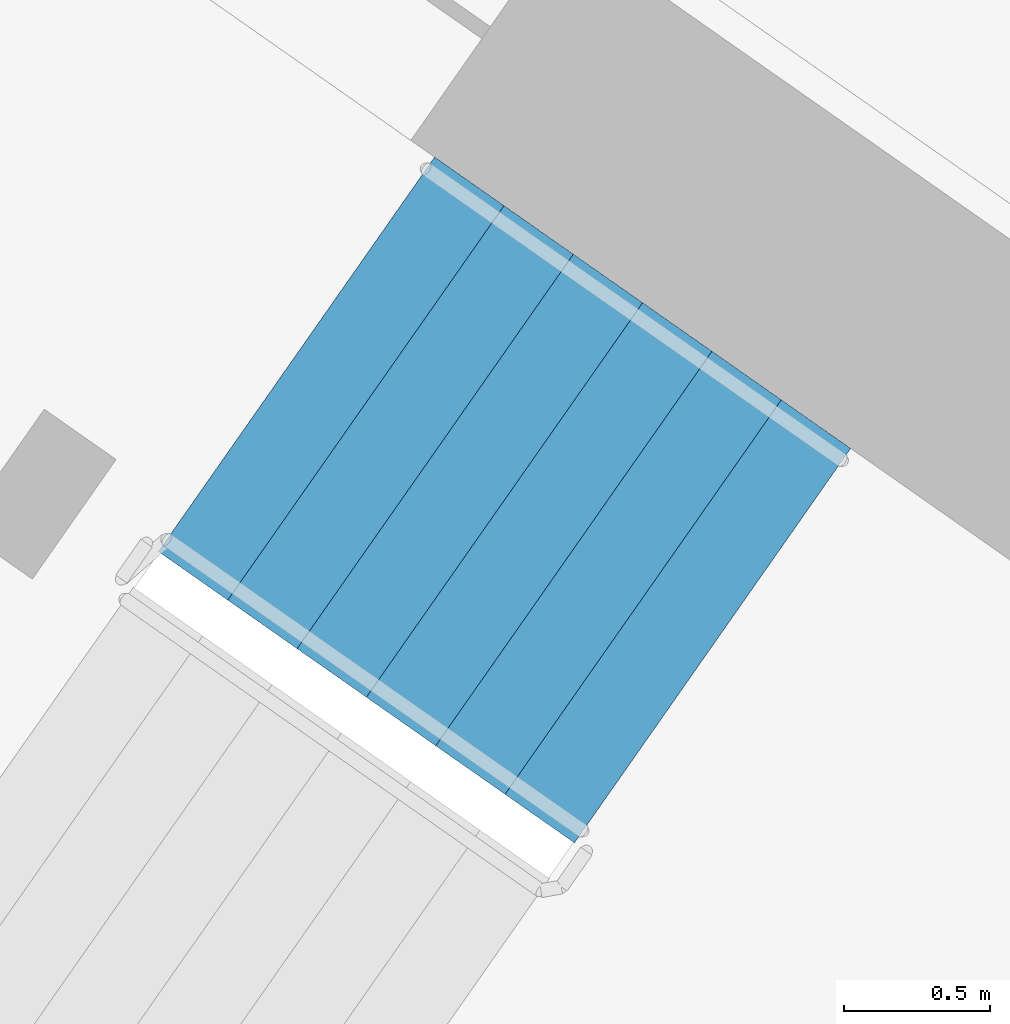
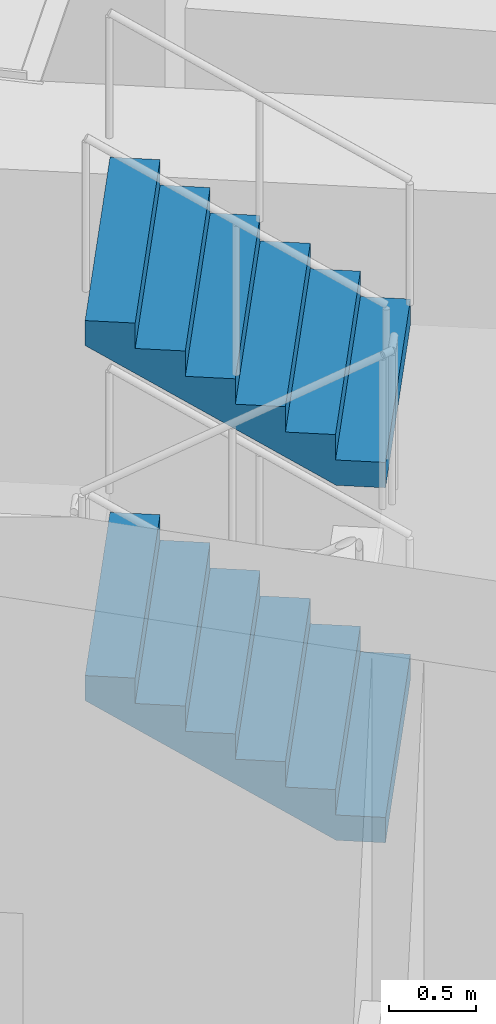
# One storey, part 16 of 25: 2 stair flights, 1 element without a shape of its own.
"""IFC4 building model written with IfcOpenShell, lengths in metres."""

from ifc_helpers import new_model, si_unit, direction, frame, origin, place, context, subcontext, project, spatial, faceted_brep, material, type_object, element, aggregate, save


model = new_model("IFC4")

# Units and contexts
model_context = context("Model", 3, precision=1e-05, world=origin(), true_north=direction((0.0, 1.0)))
body_context = subcontext(model_context, "Body", "Model", "MODEL_VIEW")
ifc_project = project(units=[si_unit("LENGTHUNIT", "METRE"), si_unit("AREAUNIT", "SQUARE_METRE"), si_unit("VOLUMEUNIT", "CUBIC_METRE"), si_unit("PLANEANGLEUNIT", "RADIAN"), si_unit("MASSUNIT", "GRAM", prefix="KILO")], contexts=[model_context])

# Site, building, storey
site_placement = place(None, origin())
site = spatial("IfcSite", under=ifc_project, at=site_placement, CompositionType="ELEMENT")
building_placement = place(site_placement, origin())
building = spatial("IfcBuilding", under=site, at=building_placement, Name="Qamariyya Broadcast Tower", CompositionType="ELEMENT")
storey_placement = place(building_placement, frame((0.0, 0.0, 89.89990234375)))
storey = spatial("IfcBuildingStorey", under=building, at=storey_placement, Name="L19", CompositionType="ELEMENT", Elevation=89.89990234375)

# Stair, stair flights
ifc_material = material(Name="Concrete C50/60", Category="concrete")
stair_type = type_object("IfcStairType", Name="Exit stair 28 risers of 179 mm", PredefinedType="HALF_TURN_STAIR", material=ifc_material)
stair_placement = place(storey_placement, origin())
stair = element("IfcStair", 1, at=stair_placement, inside=storey, type_object=stair_type, Name="L19 Stair W2", PredefinedType="HALF_TURN_STAIR")
stair_flight_type = type_object("IfcStairFlightType", Name="Exit stair flight 7 risers of 179 mm", PredefinedType="STRAIGHT", material=ifc_material)
stair_flight_1_placement = place(storey_placement, frame((-39.133544921875, -48.683349609375, 1.25), z_axis=(0.0, 0.0, 1.0), x_axis=(-0.819152044289, 0.573576436351, 0.0)))
stair_flight_1 = element("IfcStairFlight", 2, at=stair_flight_1_placement, type_object=stair_flight_type, Name="ST-W2 flight 2", NumberOfRisers=7, NumberOfTreads=6, PredefinedType="STRAIGHT", RiserHeight=0.178571429, TreadLength=0.29, context=body_context, shape_type="Brep", body=[
    faceted_brep([(0.0, 0.824951171875, 0.0), (0.0, 0.824951171875, 0.178466796875), (0.2900390625, 0.824951171875, 0.178466796875), (0.2900390625, 0.824951171875, 0.357177734375), (0.580078125, 0.824951171875, 0.357177734375), (0.580078125, 0.824951171875, 0.53564453125), (0.8701171875, 0.824951171875, 0.53564453125), (0.8701171875, 0.824951171875, 0.71435546875), (1.159912109375, 0.824951171875, 0.71435546875), (1.159912109375, 0.824951171875, 0.892822265625), (1.449951171875, 0.824951171875, 0.892822265625), (1.449951171875, 0.824951171875, 1.071533203125), (1.739990234375, 0.824951171875, 1.071533203125), (1.739990234375, 0.824951171875, 0.8955078125), (0.285888671875, 0.824951171875, 0.0), (0.285888671875, -0.824951171875, 0.0), (1.739990234375, -0.824951171875, 0.8955078125), (1.739990234375, -0.824951171875, 1.071533203125), (1.449951171875, -0.824951171875, 1.071533203125), (1.449951171875, -0.824951171875, 0.892822265625), (1.159912109375, -0.824951171875, 0.892822265625), (1.159912109375, -0.824951171875, 0.71435546875), (0.8701171875, -0.824951171875, 0.71435546875), (0.8701171875, -0.824951171875, 0.53564453125), (0.580078125, -0.824951171875, 0.53564453125), (0.580078125, -0.824951171875, 0.357177734375), (0.2900390625, -0.824951171875, 0.357177734375), (0.2900390625, -0.824951171875, 0.178466796875), (0.0, -0.824951171875, 0.178466796875), (0.0, -0.824951171875, 0.0), (0.0, 0.10009765625, 0.0), (0.0, 0.086669921875, 0.0), (0.0, 0.0732421875, 0.0), (0.0, 0.06005859375, 0.0), (0.0, 0.046630859375, 0.0), (0.0, 0.033447265625, 0.0), (0.0, 0.02001953125, 0.0), (0.0, 0.006591796875, 0.0), (0.0, -0.006591796875, 0.0), (0.0, -0.02001953125, 0.0), (0.0, -0.033447265625, 0.0), (0.0, -0.046630859375, 0.0), (0.0, -0.06005859375, 0.0), (0.0, -0.0732421875, 0.0), (0.0, -0.086669921875, 0.0), (0.0, -0.10009765625, 0.0), (0.0, -0.10009765625, 0.178466796875), (0.0, -0.086669921875, 0.178466796875), (0.0, -0.0732421875, 0.178466796875), (0.0, -0.06005859375, 0.178466796875), (0.0, -0.046630859375, 0.178466796875), (0.0, -0.033447265625, 0.178466796875), (0.0, -0.02001953125, 0.178466796875), (0.0, -0.006591796875, 0.178466796875), (0.0, 0.006591796875, 0.178466796875), (0.0, 0.02001953125, 0.178466796875), (0.0, 0.033447265625, 0.178466796875), (0.0, 0.046630859375, 0.178466796875), (0.0, 0.06005859375, 0.178466796875), (0.0, 0.0732421875, 0.178466796875), (0.0, 0.086669921875, 0.178466796875), (0.0, 0.10009765625, 0.178466796875), (0.2900390625, -0.10009765625, 0.178466796875), (0.2900390625, -0.086669921875, 0.178466796875), (0.2900390625, -0.0732421875, 0.178466796875), (0.2900390625, -0.06005859375, 0.178466796875), (0.2900390625, -0.046630859375, 0.178466796875), (0.2900390625, -0.033447265625, 0.178466796875), (0.2900390625, -0.02001953125, 0.178466796875), (0.2900390625, -0.006591796875, 0.178466796875), (0.2900390625, 0.006591796875, 0.178466796875), (0.2900390625, 0.02001953125, 0.178466796875), (0.2900390625, 0.033447265625, 0.178466796875), (0.2900390625, 0.046630859375, 0.178466796875), (0.2900390625, 0.06005859375, 0.178466796875), (0.2900390625, 0.0732421875, 0.178466796875), (0.2900390625, 0.086669921875, 0.178466796875), (0.2900390625, 0.10009765625, 0.178466796875), (0.2900390625, -0.10009765625, 0.357177734375), (0.2900390625, -0.086669921875, 0.357177734375), (0.2900390625, -0.0732421875, 0.357177734375), (0.2900390625, -0.06005859375, 0.357177734375), (0.2900390625, -0.046630859375, 0.357177734375), (0.2900390625, -0.033447265625, 0.357177734375), (0.2900390625, -0.02001953125, 0.357177734375), (0.2900390625, -0.006591796875, 0.357177734375), (0.2900390625, 0.006591796875, 0.357177734375), (0.2900390625, 0.02001953125, 0.357177734375), (0.2900390625, 0.033447265625, 0.357177734375), (0.2900390625, 0.046630859375, 0.357177734375), (0.2900390625, 0.06005859375, 0.357177734375), (0.2900390625, 0.0732421875, 0.357177734375), (0.2900390625, 0.086669921875, 0.357177734375), (0.2900390625, 0.10009765625, 0.357177734375), (0.580078125, -0.10009765625, 0.357177734375), (0.580078125, -0.086669921875, 0.357177734375), (0.580078125, -0.0732421875, 0.357177734375), (0.580078125, -0.06005859375, 0.357177734375), (0.580078125, -0.046630859375, 0.357177734375), (0.580078125, -0.033447265625, 0.357177734375), (0.580078125, -0.02001953125, 0.357177734375), (0.580078125, -0.006591796875, 0.357177734375), (0.580078125, 0.006591796875, 0.357177734375), (0.580078125, 0.02001953125, 0.357177734375), (0.580078125, 0.033447265625, 0.357177734375), (0.580078125, 0.046630859375, 0.357177734375), (0.580078125, 0.06005859375, 0.357177734375), (0.580078125, 0.0732421875, 0.357177734375), (0.580078125, 0.086669921875, 0.357177734375), (0.580078125, 0.10009765625, 0.357177734375), (0.580078125, -0.10009765625, 0.53564453125), (0.580078125, -0.086669921875, 0.53564453125), (0.580078125, -0.0732421875, 0.53564453125), (0.580078125, -0.06005859375, 0.53564453125), (0.580078125, -0.046630859375, 0.53564453125), (0.580078125, -0.033447265625, 0.53564453125), (0.580078125, -0.02001953125, 0.53564453125), (0.580078125, -0.006591796875, 0.53564453125), (0.580078125, 0.006591796875, 0.53564453125), (0.580078125, 0.02001953125, 0.53564453125), (0.580078125, 0.033447265625, 0.53564453125), (0.580078125, 0.046630859375, 0.53564453125), (0.580078125, 0.06005859375, 0.53564453125), (0.580078125, 0.0732421875, 0.53564453125), (0.580078125, 0.086669921875, 0.53564453125), (0.580078125, 0.10009765625, 0.53564453125), (0.8701171875, -0.10009765625, 0.53564453125), (0.8701171875, -0.086669921875, 0.53564453125), (0.8701171875, -0.0732421875, 0.53564453125), (0.8701171875, -0.06005859375, 0.53564453125), (0.8701171875, -0.046630859375, 0.53564453125), (0.8701171875, -0.033447265625, 0.53564453125), (0.8701171875, -0.02001953125, 0.53564453125), (0.8701171875, -0.006591796875, 0.53564453125), (0.8701171875, 0.006591796875, 0.53564453125), (0.8701171875, 0.02001953125, 0.53564453125), (0.8701171875, 0.033447265625, 0.53564453125), (0.8701171875, 0.046630859375, 0.53564453125), (0.8701171875, 0.06005859375, 0.53564453125), (0.8701171875, 0.0732421875, 0.53564453125), (0.8701171875, 0.086669921875, 0.53564453125), (0.8701171875, 0.10009765625, 0.53564453125), (0.8701171875, -0.10009765625, 0.71435546875), (0.8701171875, -0.086669921875, 0.71435546875), (0.8701171875, -0.0732421875, 0.71435546875), (0.8701171875, -0.06005859375, 0.71435546875), (0.8701171875, -0.046630859375, 0.71435546875), (0.8701171875, -0.033447265625, 0.71435546875), (0.8701171875, -0.02001953125, 0.71435546875), (0.8701171875, -0.006591796875, 0.71435546875), (0.8701171875, 0.006591796875, 0.71435546875), (0.8701171875, 0.02001953125, 0.71435546875), (0.8701171875, 0.033447265625, 0.71435546875), (0.8701171875, 0.046630859375, 0.71435546875), (0.8701171875, 0.06005859375, 0.71435546875), (0.8701171875, 0.0732421875, 0.71435546875), (0.8701171875, 0.086669921875, 0.71435546875), (0.8701171875, 0.10009765625, 0.71435546875), (1.159912109375, -0.10009765625, 0.71435546875), (1.159912109375, -0.086669921875, 0.71435546875), (1.159912109375, -0.0732421875, 0.71435546875), (1.159912109375, -0.06005859375, 0.71435546875), (1.159912109375, -0.046630859375, 0.71435546875), (1.159912109375, -0.033447265625, 0.71435546875), (1.159912109375, -0.02001953125, 0.71435546875), (1.159912109375, -0.006591796875, 0.71435546875), (1.159912109375, 0.006591796875, 0.71435546875), (1.159912109375, 0.02001953125, 0.71435546875), (1.159912109375, 0.033447265625, 0.71435546875), (1.159912109375, 0.046630859375, 0.71435546875), (1.159912109375, 0.06005859375, 0.71435546875), (1.159912109375, 0.0732421875, 0.71435546875), (1.159912109375, 0.086669921875, 0.71435546875), (1.159912109375, 0.10009765625, 0.71435546875), (1.159912109375, -0.10009765625, 0.892822265625), (1.159912109375, -0.086669921875, 0.892822265625), (1.159912109375, -0.0732421875, 0.892822265625), (1.159912109375, -0.06005859375, 0.892822265625), (1.159912109375, -0.046630859375, 0.892822265625), (1.159912109375, -0.033447265625, 0.892822265625), (1.159912109375, -0.02001953125, 0.892822265625), (1.159912109375, -0.006591796875, 0.892822265625), (1.159912109375, 0.006591796875, 0.892822265625), (1.159912109375, 0.02001953125, 0.892822265625), (1.159912109375, 0.033447265625, 0.892822265625), (1.159912109375, 0.046630859375, 0.892822265625), (1.159912109375, 0.06005859375, 0.892822265625), (1.159912109375, 0.0732421875, 0.892822265625), (1.159912109375, 0.086669921875, 0.892822265625), (1.159912109375, 0.10009765625, 0.892822265625), (1.449951171875, -0.10009765625, 0.892822265625), (1.449951171875, -0.086669921875, 0.892822265625), (1.449951171875, -0.0732421875, 0.892822265625), (1.449951171875, -0.06005859375, 0.892822265625), (1.449951171875, -0.046630859375, 0.892822265625), (1.449951171875, -0.033447265625, 0.892822265625), (1.449951171875, -0.02001953125, 0.892822265625), (1.449951171875, -0.006591796875, 0.892822265625), (1.449951171875, 0.006591796875, 0.892822265625), (1.449951171875, 0.02001953125, 0.892822265625), (1.449951171875, 0.033447265625, 0.892822265625), (1.449951171875, 0.046630859375, 0.892822265625), (1.449951171875, 0.06005859375, 0.892822265625), (1.449951171875, 0.0732421875, 0.892822265625), (1.449951171875, 0.086669921875, 0.892822265625), (1.449951171875, 0.10009765625, 0.892822265625), (1.449951171875, -0.10009765625, 1.071533203125), (1.449951171875, -0.086669921875, 1.071533203125), (1.449951171875, -0.0732421875, 1.071533203125), (1.449951171875, -0.06005859375, 1.071533203125), (1.449951171875, -0.046630859375, 1.071533203125), (1.449951171875, -0.033447265625, 1.071533203125), (1.449951171875, -0.02001953125, 1.071533203125), (1.449951171875, -0.006591796875, 1.071533203125), (1.449951171875, 0.006591796875, 1.071533203125), (1.449951171875, 0.02001953125, 1.071533203125), (1.449951171875, 0.033447265625, 1.071533203125), (1.449951171875, 0.046630859375, 1.071533203125), (1.449951171875, 0.06005859375, 1.071533203125), (1.449951171875, 0.0732421875, 1.071533203125), (1.449951171875, 0.086669921875, 1.071533203125), (1.449951171875, 0.10009765625, 1.071533203125), (1.739990234375, -0.10009765625, 1.071533203125), (1.739990234375, -0.086669921875, 1.071533203125), (1.739990234375, -0.0732421875, 1.071533203125), (1.739990234375, -0.06005859375, 1.071533203125), (1.739990234375, -0.046630859375, 1.071533203125), (1.739990234375, -0.033447265625, 1.071533203125), (1.739990234375, -0.02001953125, 1.071533203125), (1.739990234375, -0.006591796875, 1.071533203125), (1.739990234375, 0.006591796875, 1.071533203125), (1.739990234375, 0.02001953125, 1.071533203125), (1.739990234375, 0.033447265625, 1.071533203125), (1.739990234375, 0.046630859375, 1.071533203125), (1.739990234375, 0.06005859375, 1.071533203125), (1.739990234375, 0.0732421875, 1.071533203125), (1.739990234375, 0.086669921875, 1.071533203125), (1.739990234375, 0.10009765625, 1.071533203125), (1.739990234375, -0.10009765625, 0.8955078125), (1.739990234375, -0.086669921875, 0.8955078125), (1.739990234375, -0.0732421875, 0.8955078125), (1.739990234375, -0.06005859375, 0.8955078125), (1.739990234375, -0.046630859375, 0.8955078125), (1.739990234375, -0.033447265625, 0.8955078125), (1.739990234375, -0.02001953125, 0.8955078125), (1.739990234375, -0.006591796875, 0.8955078125), (1.739990234375, 0.006591796875, 0.8955078125), (1.739990234375, 0.02001953125, 0.8955078125), (1.739990234375, 0.033447265625, 0.8955078125), (1.739990234375, 0.046630859375, 0.8955078125), (1.739990234375, 0.06005859375, 0.8955078125), (1.739990234375, 0.0732421875, 0.8955078125), (1.739990234375, 0.086669921875, 0.8955078125), (1.739990234375, 0.10009765625, 0.8955078125), (0.285888671875, -0.10009765625, 0.0), (0.285888671875, -0.086669921875, 0.0), (0.285888671875, -0.0732421875, 0.0), (0.285888671875, -0.06005859375, 0.0), (0.285888671875, -0.046630859375, 0.0), (0.285888671875, -0.033447265625, 0.0), (0.285888671875, -0.02001953125, 0.0), (0.285888671875, -0.006591796875, 0.0), (0.285888671875, 0.006591796875, 0.0), (0.285888671875, 0.02001953125, 0.0), (0.285888671875, 0.033447265625, 0.0), (0.285888671875, 0.046630859375, 0.0), (0.285888671875, 0.06005859375, 0.0), (0.285888671875, 0.0732421875, 0.0), (0.285888671875, 0.086669921875, 0.0), (0.285888671875, 0.10009765625, 0.0)], [[[0, 1, 2, 3, 4, 5, 6, 7, 8, 9, 10, 11, 12, 13, 14]], [[15, 16, 17, 18, 19, 20, 21, 22, 23, 24, 25, 26, 27, 28, 29]], [[0, 30, 31, 32, 33, 34, 35, 36, 37, 38, 39, 40, 41, 42, 43, 44, 45, 29, 28, 46, 47, 48, 49, 50, 51, 52, 53, 54, 55, 56, 57, 58, 59, 60, 61, 1]], [[1, 61, 60, 59, 58, 57, 56, 55, 54, 53, 52, 51, 50, 49, 48, 47, 46, 28, 27, 62, 63, 64, 65, 66, 67, 68, 69, 70, 71, 72, 73, 74, 75, 76, 77, 2]], [[2, 77, 76, 75, 74, 73, 72, 71, 70, 69, 68, 67, 66, 65, 64, 63, 62, 27, 26, 78, 79, 80, 81, 82, 83, 84, 85, 86, 87, 88, 89, 90, 91, 92, 93, 3]], [[3, 93, 92, 91, 90, 89, 88, 87, 86, 85, 84, 83, 82, 81, 80, 79, 78, 26, 25, 94, 95, 96, 97, 98, 99, 100, 101, 102, 103, 104, 105, 106, 107, 108, 109, 4]], [[4, 109, 108, 107, 106, 105, 104, 103, 102, 101, 100, 99, 98, 97, 96, 95, 94, 25, 24, 110, 111, 112, 113, 114, 115, 116, 117, 118, 119, 120, 121, 122, 123, 124, 125, 5]], [[5, 125, 124, 123, 122, 121, 120, 119, 118, 117, 116, 115, 114, 113, 112, 111, 110, 24, 23, 126, 127, 128, 129, 130, 131, 132, 133, 134, 135, 136, 137, 138, 139, 140, 141, 6]], [[6, 141, 140, 139, 138, 137, 136, 135, 134, 133, 132, 131, 130, 129, 128, 127, 126, 23, 22, 142, 143, 144, 145, 146, 147, 148, 149, 150, 151, 152, 153, 154, 155, 156, 157, 7]], [[7, 157, 156, 155, 154, 153, 152, 151, 150, 149, 148, 147, 146, 145, 144, 143, 142, 22, 21, 158, 159, 160, 161, 162, 163, 164, 165, 166, 167, 168, 169, 170, 171, 172, 173, 8]], [[8, 173, 172, 171, 170, 169, 168, 167, 166, 165, 164, 163, 162, 161, 160, 159, 158, 21, 20, 174, 175, 176, 177, 178, 179, 180, 181, 182, 183, 184, 185, 186, 187, 188, 189, 9]], [[9, 189, 188, 187, 186, 185, 184, 183, 182, 181, 180, 179, 178, 177, 176, 175, 174, 20, 19, 190, 191, 192, 193, 194, 195, 196, 197, 198, 199, 200, 201, 202, 203, 204, 205, 10]], [[10, 205, 204, 203, 202, 201, 200, 199, 198, 197, 196, 195, 194, 193, 192, 191, 190, 19, 18, 206, 207, 208, 209, 210, 211, 212, 213, 214, 215, 216, 217, 218, 219, 220, 221, 11]], [[11, 221, 220, 219, 218, 217, 216, 215, 214, 213, 212, 211, 210, 209, 208, 207, 206, 18, 17, 222, 223, 224, 225, 226, 227, 228, 229, 230, 231, 232, 233, 234, 235, 236, 237, 12]], [[12, 237, 236, 235, 234, 233, 232, 231, 230, 229, 228, 227, 226, 225, 224, 223, 222, 17, 16, 238, 239, 240, 241, 242, 243, 244, 245, 246, 247, 248, 249, 250, 251, 252, 253, 13]], [[13, 253, 252, 251, 250, 249, 248, 247, 246, 245, 244, 243, 242, 241, 240, 239, 238, 16, 15, 254, 255, 256, 257, 258, 259, 260, 261, 262, 263, 264, 265, 266, 267, 268, 269, 14]], [[14, 269, 268, 267, 266, 265, 264, 263, 262, 261, 260, 259, 258, 257, 256, 255, 254, 15, 29, 45, 44, 43, 42, 41, 40, 39, 38, 37, 36, 35, 34, 33, 32, 31, 30, 0]]]),
])
stair_flight_2_placement = place(storey_placement, frame((-39.133544921875, -48.683349609375, 3.75), z_axis=(0.0, 0.0, 1.0), x_axis=(-0.819152044289, 0.573576436351, 0.0)))
stair_flight_2 = element("IfcStairFlight", 3, at=stair_flight_2_placement, type_object=stair_flight_type, Name="ST-W2 flight 4", NumberOfRisers=7, NumberOfTreads=6, PredefinedType="STRAIGHT", RiserHeight=0.178571429, TreadLength=0.29, context=body_context, shape_type="Brep", body=[
    faceted_brep([(0.0, 0.824951171875, 0.0), (0.0, 0.824951171875, 0.178466796875), (0.2900390625, 0.824951171875, 0.178466796875), (0.2900390625, 0.824951171875, 0.357177734375), (0.580078125, 0.824951171875, 0.357177734375), (0.580078125, 0.824951171875, 0.53564453125), (0.8701171875, 0.824951171875, 0.53564453125), (0.8701171875, 0.824951171875, 0.71435546875), (1.159912109375, 0.824951171875, 0.71435546875), (1.159912109375, 0.824951171875, 0.892822265625), (1.449951171875, 0.824951171875, 0.892822265625), (1.449951171875, 0.824951171875, 1.071533203125), (1.739990234375, 0.824951171875, 1.071533203125), (1.739990234375, 0.824951171875, 0.8955078125), (0.285888671875, 0.824951171875, 0.0), (0.285888671875, -0.824951171875, 0.0), (1.739990234375, -0.824951171875, 0.8955078125), (1.739990234375, -0.824951171875, 1.071533203125), (1.449951171875, -0.824951171875, 1.071533203125), (1.449951171875, -0.824951171875, 0.892822265625), (1.159912109375, -0.824951171875, 0.892822265625), (1.159912109375, -0.824951171875, 0.71435546875), (0.8701171875, -0.824951171875, 0.71435546875), (0.8701171875, -0.824951171875, 0.53564453125), (0.580078125, -0.824951171875, 0.53564453125), (0.580078125, -0.824951171875, 0.357177734375), (0.2900390625, -0.824951171875, 0.357177734375), (0.2900390625, -0.824951171875, 0.178466796875), (0.0, -0.824951171875, 0.178466796875), (0.0, -0.824951171875, 0.0), (0.0, 0.10009765625, 0.0), (0.0, 0.086669921875, 0.0), (0.0, 0.0732421875, 0.0), (0.0, 0.06005859375, 0.0), (0.0, 0.046630859375, 0.0), (0.0, 0.033447265625, 0.0), (0.0, 0.02001953125, 0.0), (0.0, 0.006591796875, 0.0), (0.0, -0.006591796875, 0.0), (0.0, -0.02001953125, 0.0), (0.0, -0.033447265625, 0.0), (0.0, -0.046630859375, 0.0), (0.0, -0.06005859375, 0.0), (0.0, -0.0732421875, 0.0), (0.0, -0.086669921875, 0.0), (0.0, -0.10009765625, 0.0), (0.0, -0.10009765625, 0.178466796875), (0.0, -0.086669921875, 0.178466796875), (0.0, -0.0732421875, 0.178466796875), (0.0, -0.06005859375, 0.178466796875), (0.0, -0.046630859375, 0.178466796875), (0.0, -0.033447265625, 0.178466796875), (0.0, -0.02001953125, 0.178466796875), (0.0, -0.006591796875, 0.178466796875), (0.0, 0.006591796875, 0.178466796875), (0.0, 0.02001953125, 0.178466796875), (0.0, 0.033447265625, 0.178466796875), (0.0, 0.046630859375, 0.178466796875), (0.0, 0.06005859375, 0.178466796875), (0.0, 0.0732421875, 0.178466796875), (0.0, 0.086669921875, 0.178466796875), (0.0, 0.10009765625, 0.178466796875), (0.2900390625, -0.10009765625, 0.178466796875), (0.2900390625, -0.086669921875, 0.178466796875), (0.2900390625, -0.0732421875, 0.178466796875), (0.2900390625, -0.06005859375, 0.178466796875), (0.2900390625, -0.046630859375, 0.178466796875), (0.2900390625, -0.033447265625, 0.178466796875), (0.2900390625, -0.02001953125, 0.178466796875), (0.2900390625, -0.006591796875, 0.178466796875), (0.2900390625, 0.006591796875, 0.178466796875), (0.2900390625, 0.02001953125, 0.178466796875), (0.2900390625, 0.033447265625, 0.178466796875), (0.2900390625, 0.046630859375, 0.178466796875), (0.2900390625, 0.06005859375, 0.178466796875), (0.2900390625, 0.0732421875, 0.178466796875), (0.2900390625, 0.086669921875, 0.178466796875), (0.2900390625, 0.10009765625, 0.178466796875), (0.2900390625, -0.10009765625, 0.357177734375), (0.2900390625, -0.086669921875, 0.357177734375), (0.2900390625, -0.0732421875, 0.357177734375), (0.2900390625, -0.06005859375, 0.357177734375), (0.2900390625, -0.046630859375, 0.357177734375), (0.2900390625, -0.033447265625, 0.357177734375), (0.2900390625, -0.02001953125, 0.357177734375), (0.2900390625, -0.006591796875, 0.357177734375), (0.2900390625, 0.006591796875, 0.357177734375), (0.2900390625, 0.02001953125, 0.357177734375), (0.2900390625, 0.033447265625, 0.357177734375), (0.2900390625, 0.046630859375, 0.357177734375), (0.2900390625, 0.06005859375, 0.357177734375), (0.2900390625, 0.0732421875, 0.357177734375), (0.2900390625, 0.086669921875, 0.357177734375), (0.2900390625, 0.10009765625, 0.357177734375), (0.580078125, -0.10009765625, 0.357177734375), (0.580078125, -0.086669921875, 0.357177734375), (0.580078125, -0.0732421875, 0.357177734375), (0.580078125, -0.06005859375, 0.357177734375), (0.580078125, -0.046630859375, 0.357177734375), (0.580078125, -0.033447265625, 0.357177734375), (0.580078125, -0.02001953125, 0.357177734375), (0.580078125, -0.006591796875, 0.357177734375), (0.580078125, 0.006591796875, 0.357177734375), (0.580078125, 0.02001953125, 0.357177734375), (0.580078125, 0.033447265625, 0.357177734375), (0.580078125, 0.046630859375, 0.357177734375), (0.580078125, 0.06005859375, 0.357177734375), (0.580078125, 0.0732421875, 0.357177734375), (0.580078125, 0.086669921875, 0.357177734375), (0.580078125, 0.10009765625, 0.357177734375), (0.580078125, -0.10009765625, 0.53564453125), (0.580078125, -0.086669921875, 0.53564453125), (0.580078125, -0.0732421875, 0.53564453125), (0.580078125, -0.06005859375, 0.53564453125), (0.580078125, -0.046630859375, 0.53564453125), (0.580078125, -0.033447265625, 0.53564453125), (0.580078125, -0.02001953125, 0.53564453125), (0.580078125, -0.006591796875, 0.53564453125), (0.580078125, 0.006591796875, 0.53564453125), (0.580078125, 0.02001953125, 0.53564453125), (0.580078125, 0.033447265625, 0.53564453125), (0.580078125, 0.046630859375, 0.53564453125), (0.580078125, 0.06005859375, 0.53564453125), (0.580078125, 0.0732421875, 0.53564453125), (0.580078125, 0.086669921875, 0.53564453125), (0.580078125, 0.10009765625, 0.53564453125), (0.8701171875, -0.10009765625, 0.53564453125), (0.8701171875, -0.086669921875, 0.53564453125), (0.8701171875, -0.0732421875, 0.53564453125), (0.8701171875, -0.06005859375, 0.53564453125), (0.8701171875, -0.046630859375, 0.53564453125), (0.8701171875, -0.033447265625, 0.53564453125), (0.8701171875, -0.02001953125, 0.53564453125), (0.8701171875, -0.006591796875, 0.53564453125), (0.8701171875, 0.006591796875, 0.53564453125), (0.8701171875, 0.02001953125, 0.53564453125), (0.8701171875, 0.033447265625, 0.53564453125), (0.8701171875, 0.046630859375, 0.53564453125), (0.8701171875, 0.06005859375, 0.53564453125), (0.8701171875, 0.0732421875, 0.53564453125), (0.8701171875, 0.086669921875, 0.53564453125), (0.8701171875, 0.10009765625, 0.53564453125), (0.8701171875, -0.10009765625, 0.71435546875), (0.8701171875, -0.086669921875, 0.71435546875), (0.8701171875, -0.0732421875, 0.71435546875), (0.8701171875, -0.06005859375, 0.71435546875), (0.8701171875, -0.046630859375, 0.71435546875), (0.8701171875, -0.033447265625, 0.71435546875), (0.8701171875, -0.02001953125, 0.71435546875), (0.8701171875, -0.006591796875, 0.71435546875), (0.8701171875, 0.006591796875, 0.71435546875), (0.8701171875, 0.02001953125, 0.71435546875), (0.8701171875, 0.033447265625, 0.71435546875), (0.8701171875, 0.046630859375, 0.71435546875), (0.8701171875, 0.06005859375, 0.71435546875), (0.8701171875, 0.0732421875, 0.71435546875), (0.8701171875, 0.086669921875, 0.71435546875), (0.8701171875, 0.10009765625, 0.71435546875), (1.159912109375, -0.10009765625, 0.71435546875), (1.159912109375, -0.086669921875, 0.71435546875), (1.159912109375, -0.0732421875, 0.71435546875), (1.159912109375, -0.06005859375, 0.71435546875), (1.159912109375, -0.046630859375, 0.71435546875), (1.159912109375, -0.033447265625, 0.71435546875), (1.159912109375, -0.02001953125, 0.71435546875), (1.159912109375, -0.006591796875, 0.71435546875), (1.159912109375, 0.006591796875, 0.71435546875), (1.159912109375, 0.02001953125, 0.71435546875), (1.159912109375, 0.033447265625, 0.71435546875), (1.159912109375, 0.046630859375, 0.71435546875), (1.159912109375, 0.06005859375, 0.71435546875), (1.159912109375, 0.0732421875, 0.71435546875), (1.159912109375, 0.086669921875, 0.71435546875), (1.159912109375, 0.10009765625, 0.71435546875), (1.159912109375, -0.10009765625, 0.892822265625), (1.159912109375, -0.086669921875, 0.892822265625), (1.159912109375, -0.0732421875, 0.892822265625), (1.159912109375, -0.06005859375, 0.892822265625), (1.159912109375, -0.046630859375, 0.892822265625), (1.159912109375, -0.033447265625, 0.892822265625), (1.159912109375, -0.02001953125, 0.892822265625), (1.159912109375, -0.006591796875, 0.892822265625), (1.159912109375, 0.006591796875, 0.892822265625), (1.159912109375, 0.02001953125, 0.892822265625), (1.159912109375, 0.033447265625, 0.892822265625), (1.159912109375, 0.046630859375, 0.892822265625), (1.159912109375, 0.06005859375, 0.892822265625), (1.159912109375, 0.0732421875, 0.892822265625), (1.159912109375, 0.086669921875, 0.892822265625), (1.159912109375, 0.10009765625, 0.892822265625), (1.449951171875, -0.10009765625, 0.892822265625), (1.449951171875, -0.086669921875, 0.892822265625), (1.449951171875, -0.0732421875, 0.892822265625), (1.449951171875, -0.06005859375, 0.892822265625), (1.449951171875, -0.046630859375, 0.892822265625), (1.449951171875, -0.033447265625, 0.892822265625), (1.449951171875, -0.02001953125, 0.892822265625), (1.449951171875, -0.006591796875, 0.892822265625), (1.449951171875, 0.006591796875, 0.892822265625), (1.449951171875, 0.02001953125, 0.892822265625), (1.449951171875, 0.033447265625, 0.892822265625), (1.449951171875, 0.046630859375, 0.892822265625), (1.449951171875, 0.06005859375, 0.892822265625), (1.449951171875, 0.0732421875, 0.892822265625), (1.449951171875, 0.086669921875, 0.892822265625), (1.449951171875, 0.10009765625, 0.892822265625), (1.449951171875, -0.10009765625, 1.071533203125), (1.449951171875, -0.086669921875, 1.071533203125), (1.449951171875, -0.0732421875, 1.071533203125), (1.449951171875, -0.06005859375, 1.071533203125), (1.449951171875, -0.046630859375, 1.071533203125), (1.449951171875, -0.033447265625, 1.071533203125), (1.449951171875, -0.02001953125, 1.071533203125), (1.449951171875, -0.006591796875, 1.071533203125), (1.449951171875, 0.006591796875, 1.071533203125), (1.449951171875, 0.02001953125, 1.071533203125), (1.449951171875, 0.033447265625, 1.071533203125), (1.449951171875, 0.046630859375, 1.071533203125), (1.449951171875, 0.06005859375, 1.071533203125), (1.449951171875, 0.0732421875, 1.071533203125), (1.449951171875, 0.086669921875, 1.071533203125), (1.449951171875, 0.10009765625, 1.071533203125), (1.739990234375, -0.10009765625, 1.071533203125), (1.739990234375, -0.086669921875, 1.071533203125), (1.739990234375, -0.0732421875, 1.071533203125), (1.739990234375, -0.06005859375, 1.071533203125), (1.739990234375, -0.046630859375, 1.071533203125), (1.739990234375, -0.033447265625, 1.071533203125), (1.739990234375, -0.02001953125, 1.071533203125), (1.739990234375, -0.006591796875, 1.071533203125), (1.739990234375, 0.006591796875, 1.071533203125), (1.739990234375, 0.02001953125, 1.071533203125), (1.739990234375, 0.033447265625, 1.071533203125), (1.739990234375, 0.046630859375, 1.071533203125), (1.739990234375, 0.06005859375, 1.071533203125), (1.739990234375, 0.0732421875, 1.071533203125), (1.739990234375, 0.086669921875, 1.071533203125), (1.739990234375, 0.10009765625, 1.071533203125), (1.739990234375, -0.10009765625, 0.8955078125), (1.739990234375, -0.086669921875, 0.8955078125), (1.739990234375, -0.0732421875, 0.8955078125), (1.739990234375, -0.06005859375, 0.8955078125), (1.739990234375, -0.046630859375, 0.8955078125), (1.739990234375, -0.033447265625, 0.8955078125), (1.739990234375, -0.02001953125, 0.8955078125), (1.739990234375, -0.006591796875, 0.8955078125), (1.739990234375, 0.006591796875, 0.8955078125), (1.739990234375, 0.02001953125, 0.8955078125), (1.739990234375, 0.033447265625, 0.8955078125), (1.739990234375, 0.046630859375, 0.8955078125), (1.739990234375, 0.06005859375, 0.8955078125), (1.739990234375, 0.0732421875, 0.8955078125), (1.739990234375, 0.086669921875, 0.8955078125), (1.739990234375, 0.10009765625, 0.8955078125), (0.285888671875, -0.10009765625, 0.0), (0.285888671875, -0.086669921875, 0.0), (0.285888671875, -0.0732421875, 0.0), (0.285888671875, -0.06005859375, 0.0), (0.285888671875, -0.046630859375, 0.0), (0.285888671875, -0.033447265625, 0.0), (0.285888671875, -0.02001953125, 0.0), (0.285888671875, -0.006591796875, 0.0), (0.285888671875, 0.006591796875, 0.0), (0.285888671875, 0.02001953125, 0.0), (0.285888671875, 0.033447265625, 0.0), (0.285888671875, 0.046630859375, 0.0), (0.285888671875, 0.06005859375, 0.0), (0.285888671875, 0.0732421875, 0.0), (0.285888671875, 0.086669921875, 0.0), (0.285888671875, 0.10009765625, 0.0)], [[[0, 1, 2, 3, 4, 5, 6, 7, 8, 9, 10, 11, 12, 13, 14]], [[15, 16, 17, 18, 19, 20, 21, 22, 23, 24, 25, 26, 27, 28, 29]], [[0, 30, 31, 32, 33, 34, 35, 36, 37, 38, 39, 40, 41, 42, 43, 44, 45, 29, 28, 46, 47, 48, 49, 50, 51, 52, 53, 54, 55, 56, 57, 58, 59, 60, 61, 1]], [[1, 61, 60, 59, 58, 57, 56, 55, 54, 53, 52, 51, 50, 49, 48, 47, 46, 28, 27, 62, 63, 64, 65, 66, 67, 68, 69, 70, 71, 72, 73, 74, 75, 76, 77, 2]], [[2, 77, 76, 75, 74, 73, 72, 71, 70, 69, 68, 67, 66, 65, 64, 63, 62, 27, 26, 78, 79, 80, 81, 82, 83, 84, 85, 86, 87, 88, 89, 90, 91, 92, 93, 3]], [[3, 93, 92, 91, 90, 89, 88, 87, 86, 85, 84, 83, 82, 81, 80, 79, 78, 26, 25, 94, 95, 96, 97, 98, 99, 100, 101, 102, 103, 104, 105, 106, 107, 108, 109, 4]], [[4, 109, 108, 107, 106, 105, 104, 103, 102, 101, 100, 99, 98, 97, 96, 95, 94, 25, 24, 110, 111, 112, 113, 114, 115, 116, 117, 118, 119, 120, 121, 122, 123, 124, 125, 5]], [[5, 125, 124, 123, 122, 121, 120, 119, 118, 117, 116, 115, 114, 113, 112, 111, 110, 24, 23, 126, 127, 128, 129, 130, 131, 132, 133, 134, 135, 136, 137, 138, 139, 140, 141, 6]], [[6, 141, 140, 139, 138, 137, 136, 135, 134, 133, 132, 131, 130, 129, 128, 127, 126, 23, 22, 142, 143, 144, 145, 146, 147, 148, 149, 150, 151, 152, 153, 154, 155, 156, 157, 7]], [[7, 157, 156, 155, 154, 153, 152, 151, 150, 149, 148, 147, 146, 145, 144, 143, 142, 22, 21, 158, 159, 160, 161, 162, 163, 164, 165, 166, 167, 168, 169, 170, 171, 172, 173, 8]], [[8, 173, 172, 171, 170, 169, 168, 167, 166, 165, 164, 163, 162, 161, 160, 159, 158, 21, 20, 174, 175, 176, 177, 178, 179, 180, 181, 182, 183, 184, 185, 186, 187, 188, 189, 9]], [[9, 189, 188, 187, 186, 185, 184, 183, 182, 181, 180, 179, 178, 177, 176, 175, 174, 20, 19, 190, 191, 192, 193, 194, 195, 196, 197, 198, 199, 200, 201, 202, 203, 204, 205, 10]], [[10, 205, 204, 203, 202, 201, 200, 199, 198, 197, 196, 195, 194, 193, 192, 191, 190, 19, 18, 206, 207, 208, 209, 210, 211, 212, 213, 214, 215, 216, 217, 218, 219, 220, 221, 11]], [[11, 221, 220, 219, 218, 217, 216, 215, 214, 213, 212, 211, 210, 209, 208, 207, 206, 18, 17, 222, 223, 224, 225, 226, 227, 228, 229, 230, 231, 232, 233, 234, 235, 236, 237, 12]], [[12, 237, 236, 235, 234, 233, 232, 231, 230, 229, 228, 227, 226, 225, 224, 223, 222, 17, 16, 238, 239, 240, 241, 242, 243, 244, 245, 246, 247, 248, 249, 250, 251, 252, 253, 13]], [[13, 253, 252, 251, 250, 249, 248, 247, 246, 245, 244, 243, 242, 241, 240, 239, 238, 16, 15, 254, 255, 256, 257, 258, 259, 260, 261, 262, 263, 264, 265, 266, 267, 268, 269, 14]], [[14, 269, 268, 267, 266, 265, 264, 263, 262, 261, 260, 259, 258, 257, 256, 255, 254, 15, 29, 45, 44, 43, 42, 41, 40, 39, 38, 37, 36, 35, 34, 33, 32, 31, 30, 0]]]),
])
aggregate(stair, [stair_flight_1, stair_flight_2])

save(model, "model.ifc")
